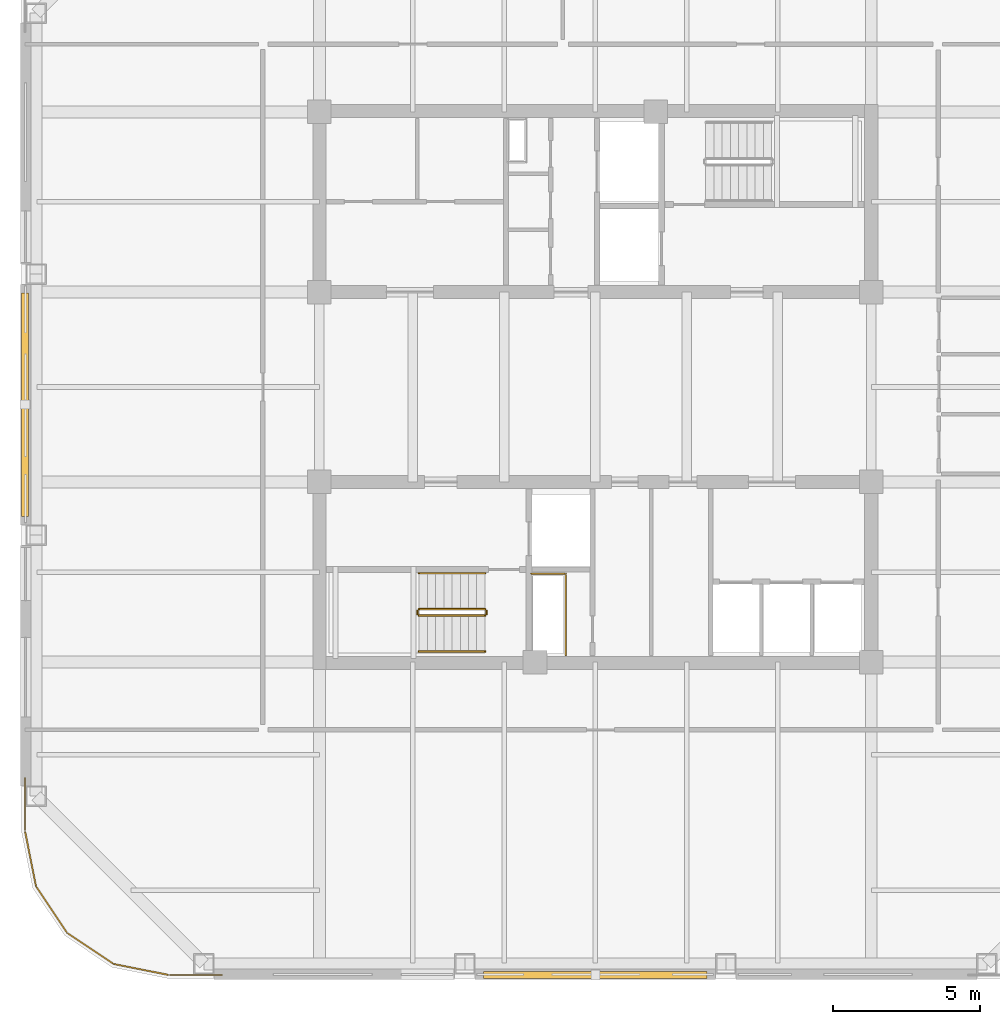
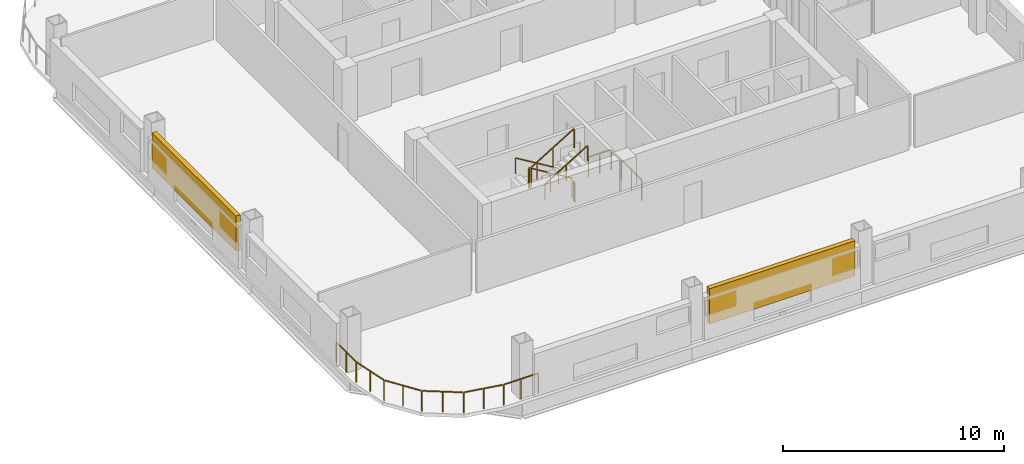
# One storey, part 6 of 8: 8 railings, 2 shading devices.
"""IFC4 building model written with IfcOpenShell, lengths in metres."""

from ifc_helpers import new_model, si_unit, direction, frame, origin, origin_2d, place, context, subcontext, project, spatial, rectangle, extrude, material, type_object, element, save


model = new_model("IFC4")

# Units and contexts
model_context = context("Model", 3, precision=1e-05, world=origin(), true_north=direction((0.0, 1.0)))
body_context = subcontext(model_context, "Body", "Model", "MODEL_VIEW")
ifc_project = project(units=[si_unit("LENGTHUNIT", "METRE"), si_unit("AREAUNIT", "SQUARE_METRE"), si_unit("VOLUMEUNIT", "CUBIC_METRE"), si_unit("PLANEANGLEUNIT", "RADIAN"), si_unit("MASSUNIT", "GRAM", prefix="KILO")], contexts=[model_context])

# Site, building, storey
site_placement = place(None, origin())
site = spatial("IfcSite", under=ifc_project, at=site_placement, CompositionType="ELEMENT")
building_placement = place(site_placement, origin())
building = spatial("IfcBuilding", under=site, at=building_placement, Name="Qhalaya Broadcast Tower", CompositionType="ELEMENT")
storey_placement = place(building_placement, frame((0.0, 0.0, 202.550048828125)))
storey = spatial("IfcBuildingStorey", under=building, at=storey_placement, Name="L59", CompositionType="ELEMENT", Elevation=202.550048828125)

# Railings
ifc_material_1 = material(Name="Powder-Coated Galvanised Steel", Category="steel")
railing_type_1 = type_object("IfcRailingType", Name="Stair Wall Handrail 900", PredefinedType="HANDRAIL", material=ifc_material_1)
railing_1_placement = place(storey_placement, frame((-3.75, -5.72998046875, 0.16943359375)))
element("IfcRailing", 1, at=railing_1_placement, inside=storey, type_object=railing_type_1, Name="L59 ST-2 Stair Handrail 1", PredefinedType="HANDRAIL", context=body_context, shape_type="SweptSolid", body=[
    extrude(rectangle(XDim=0.048095703125, YDim=0.048095703125, at=origin_2d()), frame((0.0, 0.0, 0.8759765625), z_axis=(-0.855553338991, 0.0, 0.51771467445), x_axis=(0.0, -1.0, 0.0)), (0.0, 0.0, 1.0), 2.6181640625),
    extrude(rectangle(XDim=0.0419921875, YDim=0.0419921875, at=origin_2d()), origin(), (0.0, 0.0, 1.0), 0.849853515625),
    extrude(rectangle(XDim=0.0419921875, YDim=0.0419921875, at=origin_2d()), frame((-1.1201171875, 0.0, 0.677734375)), (0.0, 0.0, 1.0), 0.849853515625),
    extrude(rectangle(XDim=0.0419921875, YDim=0.0419921875, at=origin_2d()), frame((-2.239990234375, 0.0, 1.35546875)), (0.0, 0.0, 1.0), 0.849853515625),
])
railing_2_placement = place(storey_placement, frame((-5.989990234375, -8.389892578125, 1.6943359375)))
element("IfcRailing", 2, at=railing_2_placement, inside=storey, type_object=railing_type_1, Name="L59 ST-2 Stair Handrail 2", PredefinedType="HANDRAIL", context=body_context, shape_type="SweptSolid", body=[
    extrude(rectangle(XDim=0.048095703125, YDim=0.048095703125, at=origin_2d()), frame((0.0, 0.0, 0.8759765625), z_axis=(0.855512035549, 0.0, 0.517782924622), x_axis=(0.0, 1.0, 0.0)), (0.0, 0.0, 1.0), 2.618408203125),
    extrude(rectangle(XDim=0.0419921875, YDim=0.0419921875, at=origin_2d()), origin(), (0.0, 0.0, 1.0), 0.849853515625),
    extrude(rectangle(XDim=0.0419921875, YDim=0.0419921875, at=origin_2d()), frame((1.1201171875, 0.0, 0.677734375)), (0.0, 0.0, 1.0), 0.849853515625),
    extrude(rectangle(XDim=0.0419921875, YDim=0.0419921875, at=origin_2d()), frame((2.239990234375, 0.0, 1.355712890625)), (0.0, 0.0, 1.0), 0.849853515625),
])
railing_type_2 = type_object("IfcRailingType", Name="Stair Well & Landing Guardrail 1100", PredefinedType="GUARDRAIL", material=ifc_material_1)
railing_3_placement = place(storey_placement, frame((-1.0, -8.52001953125, 0.0)))
element("IfcRailing", 3, at=railing_3_placement, inside=storey, type_object=railing_type_2, Name="L59 Service Riser Opening Safety Guard SRSR", PredefinedType="GUARDRAIL", context=body_context, shape_type="SweptSolid", body=[
    extrude(rectangle(XDim=0.048095703125, YDim=0.048095703125, at=origin_2d()), frame((0.0, 0.0, 1.1259765625), z_axis=(0.0, 1.0, 0.0), x_axis=(-1.0, 0.0, 0.0)), (0.0, 0.0, 1.0), 2.751220703125),
    extrude(rectangle(XDim=0.048095703125, YDim=0.048095703125, at=origin_2d()), frame((-0.02880859375, 2.780029296875, 1.1259765625), z_axis=(-1.0, 0.0, 0.0), x_axis=(0.0, -1.0, 0.0)), (0.0, 0.0, 1.0), 1.151123046875),
    extrude(rectangle(XDim=0.0419921875, YDim=0.0419921875, at=origin_2d()), origin(), (0.0, 0.0, 1.0), 1.099853515625),
    extrude(rectangle(XDim=0.0419921875, YDim=0.0419921875, at=origin_2d()), frame((0.0, 0.9267578125, 0.0)), (0.0, 0.0, 1.0), 1.099853515625),
    extrude(rectangle(XDim=0.0419921875, YDim=0.0419921875, at=origin_2d()), frame((0.0, 1.853271484375, 0.0)), (0.0, 0.0, 1.0), 1.099853515625),
    extrude(rectangle(XDim=0.0419921875, YDim=0.0419921875, at=origin_2d()), frame((0.0, 2.780029296875, 0.0)), (0.0, 0.0, 1.0), 1.099853515625),
    extrude(rectangle(XDim=0.0419921875, YDim=0.0419921875, at=origin_2d()), frame((-0.58984375, 2.780029296875, 0.0)), (0.0, 0.0, 1.0), 1.099853515625),
    extrude(rectangle(XDim=0.0419921875, YDim=0.0419921875, at=origin_2d()), frame((-1.179931640625, 2.780029296875, 0.0)), (0.0, 0.0, 1.0), 1.099853515625),
])
railing_4_placement = place(storey_placement, frame((-3.75, -6.949951171875, 0.16943359375)))
element("IfcRailing", 4, at=railing_4_placement, inside=storey, type_object=railing_type_2, Name="L59 ST-2 Stair Guard 1", PredefinedType="GUARDRAIL", context=body_context, shape_type="SweptSolid", body=[
    extrude(rectangle(XDim=0.048095703125, YDim=0.048095703125, at=origin_2d()), frame((0.0, 0.0, 1.076171875), z_axis=(-0.855553338991, 0.0, 0.51771467445), x_axis=(0.0, -1.0, 0.0)), (0.0, 0.0, 1.0), 2.6181640625),
    extrude(rectangle(XDim=0.0419921875, YDim=0.0419921875, at=origin_2d()), origin(), (0.0, 0.0, 1.0), 1.050048828125),
    extrude(rectangle(XDim=0.0419921875, YDim=0.0419921875, at=origin_2d()), frame((-1.1201171875, 0.0, 0.677734375)), (0.0, 0.0, 1.0), 1.050048828125),
    extrude(rectangle(XDim=0.0419921875, YDim=0.0419921875, at=origin_2d()), frame((-2.239990234375, 0.0, 1.35546875)), (0.0, 0.0, 1.0), 1.050048828125),
])
railing_5_placement = place(storey_placement, frame((-6.0400390625, -7.0, 1.52490234375)))
element("IfcRailing", 5, at=railing_5_placement, inside=storey, type_object=railing_type_2, Name="L59 ST-2 Stair Guard 2", PredefinedType="GUARDRAIL", context=body_context, shape_type="SweptSolid", body=[
    extrude(rectangle(XDim=0.048095703125, YDim=0.048095703125, at=origin_2d()), frame((0.0, 0.0, 1.076171875), z_axis=(0.0, -1.0, 0.0), x_axis=(1.0, 0.0, 0.0)), (0.0, 0.0, 1.0), 0.1201171875),
    extrude(rectangle(XDim=0.0419921875, YDim=0.0419921875, at=origin_2d()), origin(), (0.0, 0.0, 1.0), 1.050048828125),
    extrude(rectangle(XDim=0.0419921875, YDim=0.0419921875, at=origin_2d()), frame((0.0, -0.1201171875, 0.0)), (0.0, 0.0, 1.0), 1.050048828125),
])
railing_6_placement = place(storey_placement, frame((-5.989990234375, -7.169921875, 1.6943359375)))
element("IfcRailing", 6, at=railing_6_placement, inside=storey, type_object=railing_type_2, Name="L59 ST-2 Stair Guard 3", PredefinedType="GUARDRAIL", context=body_context, shape_type="SweptSolid", body=[
    extrude(rectangle(XDim=0.048095703125, YDim=0.048095703125, at=origin_2d()), frame((0.0, 0.0, 1.076171875), z_axis=(0.855512035549, 0.0, 0.517782924622), x_axis=(0.0, 1.0, 0.0)), (0.0, 0.0, 1.0), 2.618408203125),
    extrude(rectangle(XDim=0.0419921875, YDim=0.0419921875, at=origin_2d()), origin(), (0.0, 0.0, 1.0), 1.050048828125),
    extrude(rectangle(XDim=0.0419921875, YDim=0.0419921875, at=origin_2d()), frame((1.1201171875, 0.0, 0.677734375)), (0.0, 0.0, 1.0), 1.050048828125),
    extrude(rectangle(XDim=0.0419921875, YDim=0.0419921875, at=origin_2d()), frame((2.239990234375, 0.0, 1.355712890625)), (0.0, 0.0, 1.0), 1.050048828125),
])
railing_7_placement = place(storey_placement, frame((-3.699951171875, -7.0, 0.0)))
element("IfcRailing", 7, at=railing_7_placement, inside=storey, type_object=railing_type_2, Name="L59 ST-2 Stair Guard 4", PredefinedType="GUARDRAIL", context=body_context, shape_type="SweptSolid", body=[
    extrude(rectangle(XDim=0.048095703125, YDim=0.048095703125, at=origin_2d()), frame((0.0, 0.0, 1.076171875), z_axis=(0.0, -1.0, 0.0), x_axis=(1.0, 0.0, 0.0)), (0.0, 0.0, 1.0), 0.1201171875),
    extrude(rectangle(XDim=0.0419921875, YDim=0.0419921875, at=origin_2d()), origin(), (0.0, 0.0, 1.0), 1.050048828125),
    extrude(rectangle(XDim=0.0419921875, YDim=0.0419921875, at=origin_2d()), frame((0.0, -0.1201171875, 0.0)), (0.0, 0.0, 1.0), 1.050048828125),
])
railing_type_3 = type_object("IfcRailingType", Name="Terrace, Sky-Pool & Lookout Glass Balustrade 1150", PredefinedType="BALUSTRADE", material=ifc_material_1)
railing_8_placement = place(storey_placement, frame((-12.681884765625, -19.3798828125, 0.0)))
element("IfcRailing", 8, at=railing_8_placement, inside=storey, type_object=railing_type_3, Name="L59 Rounded Corner Perimeter Guard 02", PredefinedType="BALUSTRADE", context=body_context, shape_type="SweptSolid", body=[
    extrude(rectangle(XDim=0.048095703125, YDim=0.048095703125, at=origin_2d()), frame((0.0, 0.0, 1.1259765625), z_axis=(-1.0, 0.0, 0.0), x_axis=(0.0, -1.0, 0.0)), (0.0, 0.0, 1.0), 1.777587890625),
    extrude(rectangle(XDim=0.048095703125, YDim=0.048095703125, at=origin_2d()), frame((-1.834716796875, 0.005615234375, 1.1259765625), z_axis=(-0.980795810058, 0.195037378397, 0.0), x_axis=(-0.195037378397, -0.980795810058, 0.0)), (0.0, 0.0, 1.0), 1.857421875),
    extrude(rectangle(XDim=0.048095703125, YDim=0.048095703125, at=origin_2d()), frame((-3.708740234375, 0.3896484375, 1.1259765625), z_axis=(-0.831437950597, 0.555617615188, 0.0), x_axis=(-0.555617615188, -0.831437950597, 0.0)), (0.0, 0.0, 1.0), 1.845458984375),
    extrude(rectangle(XDim=0.048095703125, YDim=0.048095703125, at=origin_2d()), frame((-5.283203125, 1.454833984375, 1.1259765625), z_axis=(-0.555617615188, 0.831437950597, 0.0), x_axis=(-0.831437950597, -0.555617615188, 0.0)), (0.0, 0.0, 1.0), 1.845458984375),
    extrude(rectangle(XDim=0.048095703125, YDim=0.048095703125, at=origin_2d()), frame((-6.330078125, 3.04150390625, 1.1259765625), z_axis=(-0.195037378397, 0.980795810058, 0.0), x_axis=(-0.980795810058, -0.195037378397, 0.0)), (0.0, 0.0, 1.0), 1.857421875),
    extrude(rectangle(XDim=0.048095703125, YDim=0.048095703125, at=origin_2d()), frame((-6.697998046875, 4.92041015625, 1.1259765625), z_axis=(0.0, 1.0, 0.0), x_axis=(-1.0, 0.0, 0.0)), (0.0, 0.0, 1.0), 1.777587890625),
    extrude(rectangle(XDim=0.0419921875, YDim=0.0419921875, at=origin_2d()), origin(), (0.0, 0.0, 1.0), 1.099853515625),
    extrude(rectangle(XDim=0.0419921875, YDim=0.0419921875, at=origin_2d()), frame((-0.9033203125, 0.0, 0.0)), (0.0, 0.0, 1.0), 1.099853515625),
    extrude(rectangle(XDim=0.0419921875, YDim=0.0419921875, at=origin_2d()), frame((-1.806396484375, 0.0, 0.0)), (0.0, 0.0, 1.0), 1.099853515625),
    extrude(rectangle(XDim=0.0419921875, YDim=0.0419921875, at=origin_2d()), frame((-2.74560546875, 0.186767578125, 0.0)), (0.0, 0.0, 1.0), 1.099853515625),
    extrude(rectangle(XDim=0.0419921875, YDim=0.0419921875, at=origin_2d()), frame((-3.684814453125, 0.37353515625, 0.0)), (0.0, 0.0, 1.0), 1.099853515625),
    extrude(rectangle(XDim=0.0419921875, YDim=0.0419921875, at=origin_2d()), frame((-4.47607421875, 0.90234375, 0.0)), (0.0, 0.0, 1.0), 1.099853515625),
    extrude(rectangle(XDim=0.0419921875, YDim=0.0419921875, at=origin_2d()), frame((-5.26708984375, 1.430908203125, 0.0)), (0.0, 0.0, 1.0), 1.099853515625),
    extrude(rectangle(XDim=0.0419921875, YDim=0.0419921875, at=origin_2d()), frame((-5.7958984375, 2.22216796875, 0.0)), (0.0, 0.0, 1.0), 1.099853515625),
    extrude(rectangle(XDim=0.0419921875, YDim=0.0419921875, at=origin_2d()), frame((-6.324462890625, 3.01318359375, 0.0)), (0.0, 0.0, 1.0), 1.099853515625),
    extrude(rectangle(XDim=0.0419921875, YDim=0.0419921875, at=origin_2d()), frame((-6.51123046875, 3.952392578125, 0.0)), (0.0, 0.0, 1.0), 1.099853515625),
    extrude(rectangle(XDim=0.0419921875, YDim=0.0419921875, at=origin_2d()), frame((-6.697998046875, 4.8916015625, 0.0)), (0.0, 0.0, 1.0), 1.099853515625),
    extrude(rectangle(XDim=0.0419921875, YDim=0.0419921875, at=origin_2d()), frame((-6.697998046875, 5.794921875, 0.0)), (0.0, 0.0, 1.0), 1.099853515625),
    extrude(rectangle(XDim=0.0419921875, YDim=0.0419921875, at=origin_2d()), frame((-6.697998046875, 6.697998046875, 0.0)), (0.0, 0.0, 1.0), 1.099853515625),
])

# Shading devices
ifc_material_2 = material(Name="Fired Architectural Terracotta", Category="masonry")
shading_device_type = type_object("IfcShadingDeviceType", Name="Terracotta Baguette Solar Screen Assembly TBS-01", PredefinedType="USERDEFINED", material=ifc_material_2)
for number, where, z_axis, x_axis, name in (
    (9, (0.0, -19.3798828125, 0.80078125), (0.0, 0.0, 1.0), (1.0, 0.0, 0.0), "L59 Fired Terracotta Baguette Screen S"),
    (10, (-19.3798828125, 0.0, 0.80078125), (0.0, 0.0, 1.0), (0.0, -1.0, 0.0), "L59 Fired Terracotta Baguette Screen W"),
):
    element("IfcShadingDevice", number, at=place(storey_placement, frame(where, z_axis=z_axis, x_axis=x_axis)), inside=storey, type_object=shading_device_type, Name=name, ObjectType="BAGUETTE", PredefinedType="USERDEFINED", context=body_context, shape_type="SweptSolid", body=[
        extrude(rectangle(XDim=7.60009765625, YDim=0.239990234375, at=origin_2d()), origin(), (0.0, 0.0, 1.0), 1.945068359375),
    ])

save(model, "model.ifc")
